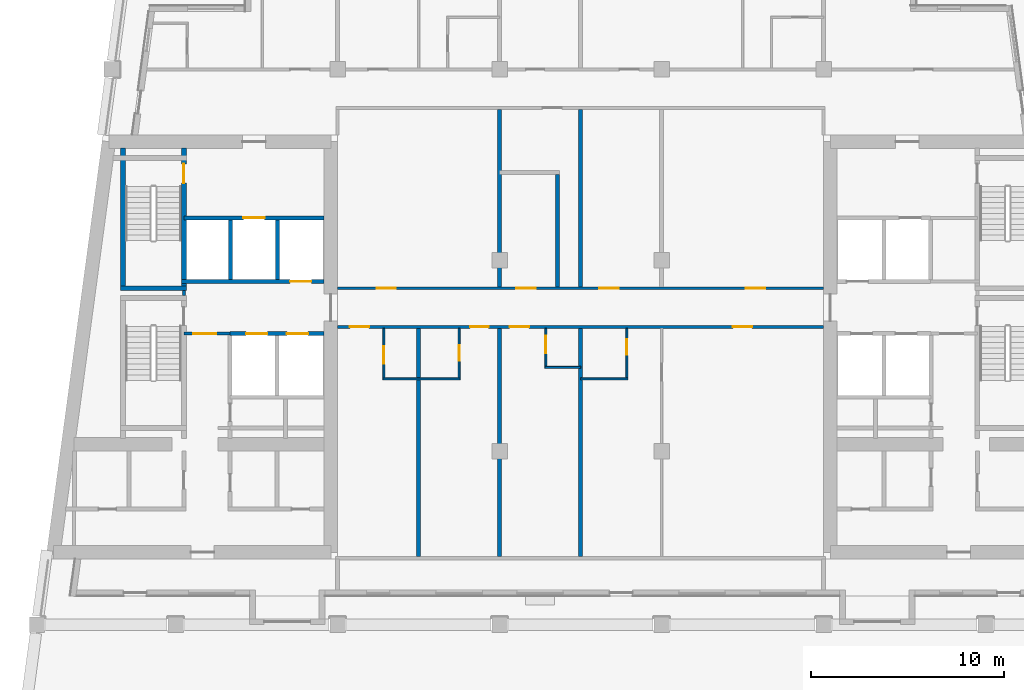
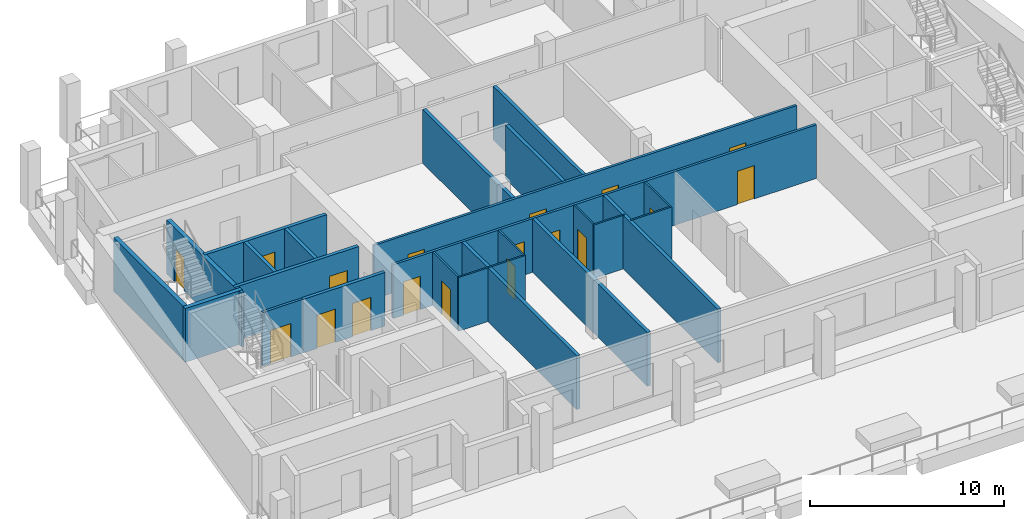
# One storey, part 3 of 12: 25 walls, 18 doors, 18 openings.
"""IFC4 building model written with IfcOpenShell, lengths in metres."""

from ifc_helpers import new_model, si_unit, direction, frame, frame_2d, origin, place, context, subcontext, project, spatial, rectangle, extrude, material, layer, layer_set, type_object, element, fill, save


model = new_model("IFC4")

# Units and contexts
model_context = context("Model", 3, precision=1e-05, world=origin(), true_north=direction((0.0, 1.0)))
body_context = subcontext(model_context, "Body", "Model", "MODEL_VIEW")
ifc_project = project(units=[si_unit("LENGTHUNIT", "METRE"), si_unit("AREAUNIT", "SQUARE_METRE"), si_unit("VOLUMEUNIT", "CUBIC_METRE"), si_unit("PLANEANGLEUNIT", "RADIAN"), si_unit("MASSUNIT", "GRAM", prefix="KILO")], contexts=[model_context])

# Site, building, storey
site_placement = place(None, origin())
site = spatial("IfcSite", under=ifc_project, at=site_placement, CompositionType="ELEMENT")
building_placement = place(site_placement, origin())
building = spatial("IfcBuilding", under=site, at=building_placement, Name="Candeia Pilgrim Tower and Theatre", CompositionType="ELEMENT")
storey_placement = place(building_placement, frame((0.0, 0.0, 259.0)))
storey = spatial("IfcBuildingStorey", under=building, at=storey_placement, Name="L62", CompositionType="ELEMENT", Elevation=259.0)

# Walls
ifc_material_1 = material(Name="Gypsum board partition on steel studs", Category="steel")
ifc_layer_1 = layer(ifc_material_1, 0.10009765625)
ifc_layer_set_1 = layer_set([ifc_layer_1], Name="PW-100 room partition")
wall_type_1 = type_object("IfcWallType", Name="PW-100 room partition", PredefinedType="PARTITIONING", material=ifc_layer_set_1)
wall_1_placement = place(storey_placement, frame((103.14990234375, 119.75, 0.0), z_axis=(0.0, 0.0, 1.0), x_axis=(1.0, 0.0, 0.0)))
element("IfcWall", 1, at=wall_1_placement, inside=storey, type_object=wall_type_1, Name="Room partition L62-014", PredefinedType="PARTITIONING", context=body_context, shape_type="SweptSolid", body=[
    extrude(rectangle(XDim=4.0, YDim=0.10009765625, at=frame_2d((2.0, 0.0))), origin(), (0.0, 0.0, 1.0), 3.3798828125),
])
wall_2_placement = place(storey_placement, frame((113.39990234375, 119.75, 0.0), z_axis=(0.0, 0.0, 1.0), x_axis=(1.0, 0.0, 0.0)))
element("IfcWall", 2, at=wall_2_placement, inside=storey, type_object=wall_type_1, Name="Room partition L62-015", PredefinedType="PARTITIONING", context=body_context, shape_type="SweptSolid", body=[
    extrude(rectangle(XDim=2.4501953125, YDim=0.10009765625, at=frame_2d((1.22509765625, 0.0))), origin(), (0.0, 0.0, 1.0), 3.3798828125),
])
wall_3_placement = place(storey_placement, frame((111.550048828125, 120.35009765625, 0.0), z_axis=(0.0, 0.0, 1.0), x_axis=(1.0, 0.0, 0.0)))
element("IfcWall", 3, at=wall_3_placement, inside=storey, type_object=wall_type_1, Name="Room partition L62-016", PredefinedType="PARTITIONING", context=body_context, shape_type="SweptSolid", body=[
    extrude(rectangle(XDim=1.849853515625, YDim=0.10009765625, at=frame_2d((0.9248046875, 0.0))), origin(), (0.0, 0.0, 1.0), 3.3798828125),
])

# Wall, opening, door
wall_4_placement = place(storey_placement, frame((103.199951171875, 119.800048828125, 0.0), z_axis=(0.0, 0.0, 1.0), x_axis=(0.0, 1.0, 0.0)))
wall_4 = element("IfcWall", 4, at=wall_4_placement, inside=storey, type_object=wall_type_1, Name="Room partition L62-062", PredefinedType="PARTITIONING", context=body_context, shape_type="SweptSolid", body=[
    extrude(rectangle(XDim=2.574951171875, YDim=0.10009765625, at=frame_2d((1.28759765625, 0.0))), origin(), (0.0, 0.0, 1.0), 3.3798828125),
])
opening_1_placement = place(wall_4_placement, frame((0.739990234375, 0.0, 0.0)))
opening_1 = element("IfcOpeningElement", 5, at=opening_1_placement, cuts=wall_4, Name="Opening L62-D018", PredefinedType="OPENING", context=body_context, shape_type="SweptSolid", body=[
    extrude(rectangle(XDim=0.89990234375, YDim=2.10009765625, at=frame_2d((0.449951171875, 1.050048828125))), frame((0.0, 0.06005859375, 0.0), z_axis=(0.0, -1.0, 0.0), x_axis=(1.0, 0.0, 0.0)), (0.0, 0.0, 1.0), 0.1201171875),
])
ifc_material_2 = material(Name="Timber door leaf", Category="wood")
door_type_1 = type_object("IfcDoorType", Name="D-900", OperationType="NOTDEFINED", PredefinedType="DOOR", material=ifc_material_2)
door_1_placement = place(opening_1_placement, origin())
door_1 = element("IfcDoor", 6, at=door_1_placement, inside=storey, type_object=door_type_1, Name="Door L62-D018", OperationType="SINGLE_SWING_RIGHT", OverallHeight=2.10009765625, OverallWidth=0.89990234375, PredefinedType="DOOR", context=body_context, shape_type="SweptSolid", body=[
    extrude(rectangle(XDim=0.89990234375, YDim=2.10009765625, at=frame_2d((0.449951171875, 1.050048828125))), frame((0.0, 0.02490234375, 0.0), z_axis=(0.0, -1.0, 0.0), x_axis=(1.0, 0.0, 0.0)), (0.0, 0.0, 1.0), 0.050048828125),
])
fill(opening_1, door_1)

wall_5_placement = place(storey_placement, frame((107.10009765625, 119.800048828125, 0.0), z_axis=(0.0, 0.0, 1.0), x_axis=(0.0, 1.0, 0.0)))
wall_5 = element("IfcWall", 7, at=wall_5_placement, inside=storey, type_object=wall_type_1, Name="Room partition L62-066", PredefinedType="PARTITIONING", context=body_context, shape_type="SweptSolid", body=[
    extrude(rectangle(XDim=2.574951171875, YDim=0.10009765625, at=frame_2d((1.28759765625, 0.0))), origin(), (0.0, 0.0, 1.0), 3.3798828125),
])
opening_2_placement = place(wall_5_placement, frame((0.89990234375, 0.0, 0.0)))
opening_2 = element("IfcOpeningElement", 8, at=opening_2_placement, cuts=wall_5, Name="Opening L62-D020", PredefinedType="OPENING", context=body_context, shape_type="SweptSolid", body=[
    extrude(rectangle(XDim=0.800048828125, YDim=2.10009765625, at=frame_2d((0.39990234375, 1.050048828125))), frame((0.0, 0.06005859375, 0.0), z_axis=(0.0, -1.0, 0.0), x_axis=(1.0, 0.0, 0.0)), (0.0, 0.0, 1.0), 0.1201171875),
])
door_type_2 = type_object("IfcDoorType", Name="D-800", OperationType="NOTDEFINED", PredefinedType="DOOR", material=ifc_material_2)
door_2_placement = place(opening_2_placement, origin())
door_2 = element("IfcDoor", 9, at=door_2_placement, inside=storey, type_object=door_type_2, Name="Door L62-D020", OperationType="SINGLE_SWING_RIGHT", OverallHeight=2.10009765625, OverallWidth=0.800048828125, PredefinedType="DOOR", context=body_context, shape_type="SweptSolid", body=[
    extrude(rectangle(XDim=0.800048828125, YDim=2.10009765625, at=frame_2d((0.39990234375, 1.050048828125))), frame((0.0, 0.02490234375, 0.0), z_axis=(0.0, -1.0, 0.0), x_axis=(1.0, 0.0, 0.0)), (0.0, 0.0, 1.0), 0.050048828125),
])
fill(opening_2, door_2)

wall_6_placement = place(storey_placement, frame((111.60009765625, 120.39990234375, 0.0), z_axis=(0.0, 0.0, 1.0), x_axis=(0.0, 1.0, 0.0)))
wall_6 = element("IfcWall", 10, at=wall_6_placement, inside=storey, type_object=wall_type_1, Name="Room partition L62-070", PredefinedType="PARTITIONING", context=body_context, shape_type="SweptSolid", body=[
    extrude(rectangle(XDim=1.97509765625, YDim=0.10009765625, at=frame_2d((0.987548828125, 0.0))), origin(), (0.0, 0.0, 1.0), 3.3798828125),
])
opening_3_placement = place(wall_6_placement, frame((0.675048828125, 0.0, 0.0)))
opening_3 = element("IfcOpeningElement", 11, at=opening_3_placement, cuts=wall_6, Name="Opening L62-D022", PredefinedType="OPENING", context=body_context, shape_type="SweptSolid", body=[
    extrude(rectangle(XDim=0.89990234375, YDim=2.10009765625, at=frame_2d((0.449951171875, 1.050048828125))), frame((0.0, 0.06005859375, 0.0), z_axis=(0.0, -1.0, 0.0), x_axis=(1.0, 0.0, 0.0)), (0.0, 0.0, 1.0), 0.1201171875),
])
door_3_placement = place(opening_3_placement, origin())
door_3 = element("IfcDoor", 12, at=door_3_placement, inside=storey, type_object=door_type_1, Name="Door L62-D022", OperationType="SINGLE_SWING_RIGHT", OverallHeight=2.10009765625, OverallWidth=0.89990234375, PredefinedType="DOOR", context=body_context, shape_type="SweptSolid", body=[
    extrude(rectangle(XDim=0.89990234375, YDim=2.10009765625, at=frame_2d((0.449951171875, 1.050048828125))), frame((0.0, 0.02490234375, 0.0), z_axis=(0.0, -1.0, 0.0), x_axis=(1.0, 0.0, 0.0)), (0.0, 0.0, 1.0), 0.050048828125),
])
fill(opening_3, door_3)

wall_7_placement = place(storey_placement, frame((115.800048828125, 119.800048828125, 0.0), z_axis=(0.0, 0.0, 1.0), x_axis=(0.0, 1.0, 0.0)))
wall_7 = element("IfcWall", 13, at=wall_7_placement, inside=storey, type_object=wall_type_1, Name="Room partition L62-075", PredefinedType="PARTITIONING", context=body_context, shape_type="SweptSolid", body=[
    extrude(rectangle(XDim=2.574951171875, YDim=0.10009765625, at=frame_2d((1.28759765625, 0.0))), origin(), (0.0, 0.0, 1.0), 3.3798828125),
])
opening_4_placement = place(wall_7_placement, frame((1.199951171875, 0.0, 0.0)))
opening_4 = element("IfcOpeningElement", 14, at=opening_4_placement, cuts=wall_7, Name="Opening L62-D025", PredefinedType="OPENING", context=body_context, shape_type="SweptSolid", body=[
    extrude(rectangle(XDim=0.800048828125, YDim=2.10009765625, at=frame_2d((0.39990234375, 1.050048828125))), frame((0.0, 0.06005859375, 0.0), z_axis=(0.0, -1.0, 0.0), x_axis=(1.0, 0.0, 0.0)), (0.0, 0.0, 1.0), 0.1201171875),
])
door_4_placement = place(opening_4_placement, origin())
door_4 = element("IfcDoor", 15, at=door_4_placement, inside=storey, type_object=door_type_2, Name="Door L62-D025", OperationType="SINGLE_SWING_LEFT", OverallHeight=2.10009765625, OverallWidth=0.800048828125, PredefinedType="DOOR", context=body_context, shape_type="SweptSolid", body=[
    extrude(rectangle(XDim=0.800048828125, YDim=2.10009765625, at=frame_2d((0.39990234375, 1.050048828125))), frame((0.0, 0.02490234375, 0.0), z_axis=(0.0, -1.0, 0.0), x_axis=(1.0, 0.0, 0.0)), (0.0, 0.0, 1.0), 0.050048828125),
])
fill(opening_4, door_4)

ifc_layer_2 = layer(ifc_material_1, 0.14990234375)
ifc_layer_set_2 = layer_set([ifc_layer_2], Name="PW-150 lobby wall")
wall_type_2 = type_object("IfcWallType", Name="PW-150 lobby wall", PredefinedType="PARTITIONING", material=ifc_layer_set_2)
wall_8_placement = place(storey_placement, frame((92.826904296875, 122.10009765625, 0.0), z_axis=(0.0, 0.0, 1.0), x_axis=(1.0, 0.0, 0.0)))
wall_8 = element("IfcWall", 16, at=wall_8_placement, inside=storey, type_object=wall_type_2, Name="Lobby wall L62-019", PredefinedType="PARTITIONING", context=body_context, shape_type="SweptSolid", body=[
    extrude(rectangle(XDim=2.400146484375, YDim=0.14990234375, at=frame_2d((1.2001953125, 0.0))), origin(), (0.0, 0.0, 1.0), 3.3798828125),
])
opening_5_placement = place(wall_8_placement, frame((0.47509765625, 0.0, 0.0)))
opening_5 = element("IfcOpeningElement", 17, at=opening_5_placement, cuts=wall_8, Name="Opening L62-D001", PredefinedType="OPENING", context=body_context, shape_type="SweptSolid", body=[
    extrude(rectangle(XDim=1.199951171875, YDim=2.10009765625, at=frame_2d((0.60009765625, 1.050048828125))), frame((0.0, 0.0849609375, 0.0), z_axis=(0.0, -1.0, 0.0), x_axis=(1.0, 0.0, 0.0)), (0.0, 0.0, 1.0), 0.169921875),
])
ifc_material_3 = material(Name="Steel fire door set", Category="steel")
door_type_3 = type_object("IfcDoorType", Name="D-1200-FD60", OperationType="NOTDEFINED", PredefinedType="DOOR", material=ifc_material_3)
door_5_placement = place(opening_5_placement, origin())
door_5 = element("IfcDoor", 18, at=door_5_placement, inside=storey, type_object=door_type_3, Name="Door L62-D001", OperationType="SINGLE_SWING_LEFT", OverallHeight=2.10009765625, OverallWidth=1.199951171875, PredefinedType="DOOR", context=body_context, shape_type="SweptSolid", body=[
    extrude(rectangle(XDim=1.199951171875, YDim=2.10009765625, at=frame_2d((0.60009765625, 1.050048828125))), frame((0.0, 0.02490234375, 0.0), z_axis=(0.0, -1.0, 0.0), x_axis=(1.0, 0.0, 0.0)), (0.0, 0.0, 1.0), 0.050048828125),
])
fill(opening_5, door_5)

# Wall
wall_9_placement = place(storey_placement, frame((92.826904296875, 124.074951171875, 0.0), z_axis=(0.0, 0.0, 1.0), x_axis=(0.0, 1.0, 0.0)))
element("IfcWall", 19, at=wall_9_placement, inside=storey, type_object=wall_type_2, Name="Lobby wall L62-047", PredefinedType="PARTITIONING", context=body_context, shape_type="SweptSolid", body=[
    extrude(rectangle(XDim=0.25, YDim=0.14990234375, at=frame_2d((0.125, 0.0))), origin(), (0.0, 0.0, 1.0), 3.3798828125),
])

# Wall, openings, doors
ifc_layer_3 = layer(ifc_material_1, 0.14990234375)
ifc_layer_set_3 = layer_set([ifc_layer_3], Name="PW-150 unit wall")
wall_type_3 = type_object("IfcWallType", Name="PW-150 unit wall", PredefinedType="PARTITIONING", material=ifc_layer_set_3)
wall_10_placement = place(storey_placement, frame((100.800048828125, 122.449951171875, 0.0), z_axis=(0.0, 0.0, 1.0), x_axis=(1.0, 0.0, 0.0)))
wall_10 = element("IfcWall", 20, at=wall_10_placement, inside=storey, type_object=wall_type_3, Name="Unit wall L62-021", PredefinedType="PARTITIONING", context=body_context, shape_type="SweptSolid", body=[
    extrude(rectangle(XDim=25.199951171875, YDim=0.14990234375, at=frame_2d((12.60009765625, 0.0))), origin(), (0.0, 0.0, 1.0), 3.3798828125),
])
opening_6_placement = place(wall_10_placement, frame((0.6298828125, 0.0, 0.0)))
opening_6 = element("IfcOpeningElement", 21, at=opening_6_placement, cuts=wall_10, Name="Opening L62-D017", PredefinedType="OPENING", context=body_context, shape_type="SweptSolid", body=[
    extrude(rectangle(XDim=1.0, YDim=2.10009765625, at=frame_2d((0.5, 1.050048828125))), frame((0.0, 0.0849609375, 0.0), z_axis=(0.0, -1.0, 0.0), x_axis=(1.0, 0.0, 0.0)), (0.0, 0.0, 1.0), 0.169921875),
])
opening_7_placement = place(wall_10_placement, frame((6.875, 0.0, 0.0)))
opening_7 = element("IfcOpeningElement", 22, at=opening_7_placement, cuts=wall_10, Name="Opening L62-D019", PredefinedType="OPENING", context=body_context, shape_type="SweptSolid", body=[
    extrude(rectangle(XDim=0.949951171875, YDim=2.10009765625, at=frame_2d((0.47509765625, 1.050048828125))), frame((0.0, 0.0849609375, 0.0), z_axis=(0.0, -1.0, 0.0), x_axis=(1.0, 0.0, 0.0)), (0.0, 0.0, 1.0), 0.169921875),
])
opening_8_placement = place(wall_10_placement, frame((8.925048828125, 0.0, 0.0)))
opening_8 = element("IfcOpeningElement", 23, at=opening_8_placement, cuts=wall_10, Name="Opening L62-D021", PredefinedType="OPENING", context=body_context, shape_type="SweptSolid", body=[
    extrude(rectangle(XDim=1.0, YDim=2.10009765625, at=frame_2d((0.5, 1.050048828125))), frame((0.0, 0.0849609375, 0.0), z_axis=(0.0, -1.0, 0.0), x_axis=(1.0, 0.0, 0.0)), (0.0, 0.0, 1.0), 0.169921875),
])
opening_9_placement = place(wall_10_placement, frame((20.5, 0.0, 0.0)))
opening_9 = element("IfcOpeningElement", 24, at=opening_9_placement, cuts=wall_10, Name="Opening L62-D023", PredefinedType="OPENING", context=body_context, shape_type="SweptSolid", body=[
    extrude(rectangle(XDim=1.0, YDim=2.10009765625, at=frame_2d((0.5, 1.050048828125))), frame((0.0, 0.0849609375, 0.0), z_axis=(0.0, -1.0, 0.0), x_axis=(1.0, 0.0, 0.0)), (0.0, 0.0, 1.0), 0.169921875),
])
door_type_4 = type_object("IfcDoorType", Name="D-1000-FD30S", OperationType="NOTDEFINED", PredefinedType="DOOR", material=ifc_material_3)
door_6_placement = place(opening_6_placement, origin())
door_6 = element("IfcDoor", 25, at=door_6_placement, inside=storey, type_object=door_type_4, Name="Door L62-D017", OperationType="SINGLE_SWING_LEFT", OverallHeight=2.10009765625, OverallWidth=1.0, PredefinedType="DOOR", context=body_context, shape_type="SweptSolid", body=[
    extrude(rectangle(XDim=1.0, YDim=2.10009765625, at=frame_2d((0.5, 1.050048828125))), frame((0.0, 0.02490234375, 0.0), z_axis=(0.0, -1.0, 0.0), x_axis=(1.0, 0.0, 0.0)), (0.0, 0.0, 1.0), 0.050048828125),
])
fill(opening_6, door_6)
door_7_placement = place(opening_8_placement, origin())
door_7 = element("IfcDoor", 26, at=door_7_placement, inside=storey, type_object=door_type_4, Name="Door L62-D021", OperationType="SINGLE_SWING_LEFT", OverallHeight=2.10009765625, OverallWidth=1.0, PredefinedType="DOOR", context=body_context, shape_type="SweptSolid", body=[
    extrude(rectangle(XDim=1.0, YDim=2.10009765625, at=frame_2d((0.5, 1.050048828125))), frame((0.0, 0.02490234375, 0.0), z_axis=(0.0, -1.0, 0.0), x_axis=(1.0, 0.0, 0.0)), (0.0, 0.0, 1.0), 0.050048828125),
])
fill(opening_8, door_7)
door_8_placement = place(opening_9_placement, origin())
door_8 = element("IfcDoor", 27, at=door_8_placement, inside=storey, type_object=door_type_4, Name="Door L62-D023", OperationType="SINGLE_SWING_LEFT", OverallHeight=2.10009765625, OverallWidth=1.0, PredefinedType="DOOR", context=body_context, shape_type="SweptSolid", body=[
    extrude(rectangle(XDim=1.0, YDim=2.10009765625, at=frame_2d((0.5, 1.050048828125))), frame((0.0, 0.02490234375, 0.0), z_axis=(0.0, -1.0, 0.0), x_axis=(1.0, 0.0, 0.0)), (0.0, 0.0, 1.0), 0.050048828125),
])
fill(opening_9, door_8)
door_type_5 = type_object("IfcDoorType", Name="D-950-FD30S", OperationType="NOTDEFINED", PredefinedType="DOOR", material=ifc_material_3)
door_9_placement = place(opening_7_placement, origin())
door_9 = element("IfcDoor", 28, at=door_9_placement, inside=storey, type_object=door_type_5, Name="Door L62-D019", OperationType="SINGLE_SWING_LEFT", OverallHeight=2.10009765625, OverallWidth=0.949951171875, PredefinedType="DOOR", context=body_context, shape_type="SweptSolid", body=[
    extrude(rectangle(XDim=0.949951171875, YDim=2.10009765625, at=frame_2d((0.47509765625, 1.050048828125))), frame((0.0, 0.02490234375, 0.0), z_axis=(0.0, -1.0, 0.0), x_axis=(1.0, 0.0, 0.0)), (0.0, 0.0, 1.0), 0.050048828125),
])
fill(opening_7, door_9)

wall_11_placement = place(storey_placement, frame((100.800048828125, 124.449951171875, 0.0), z_axis=(0.0, 0.0, 1.0), x_axis=(1.0, 0.0, 0.0)))
wall_11 = element("IfcWall", 29, at=wall_11_placement, inside=storey, type_object=wall_type_3, Name="Unit wall L62-026", PredefinedType="PARTITIONING", context=body_context, shape_type="SweptSolid", body=[
    extrude(rectangle(XDim=25.199951171875, YDim=0.14990234375, at=frame_2d((12.60009765625, 0.0))), origin(), (0.0, 0.0, 1.0), 3.3798828125),
])
opening_10_placement = place(wall_11_placement, frame((2.02490234375, 0.0, 0.0)))
opening_10 = element("IfcOpeningElement", 30, at=opening_10_placement, cuts=wall_11, Name="Opening L62-D038", PredefinedType="OPENING", context=body_context, shape_type="SweptSolid", body=[
    extrude(rectangle(XDim=1.0, YDim=2.10009765625, at=frame_2d((0.5, 1.050048828125))), frame((0.0, 0.0849609375, 0.0), z_axis=(0.0, -1.0, 0.0), x_axis=(1.0, 0.0, 0.0)), (0.0, 0.0, 1.0), 0.169921875),
])
opening_11_placement = place(wall_11_placement, frame((9.27001953125, 0.0, 0.0)))
opening_11 = element("IfcOpeningElement", 31, at=opening_11_placement, cuts=wall_11, Name="Opening L62-D039", PredefinedType="OPENING", context=body_context, shape_type="SweptSolid", body=[
    extrude(rectangle(XDim=1.0, YDim=2.10009765625, at=frame_2d((0.5, 1.050048828125))), frame((0.0, 0.0849609375, 0.0), z_axis=(0.0, -1.0, 0.0), x_axis=(1.0, 0.0, 0.0)), (0.0, 0.0, 1.0), 0.169921875),
])
opening_12_placement = place(wall_11_placement, frame((13.574951171875, 0.0, 0.0)))
opening_12 = element("IfcOpeningElement", 32, at=opening_12_placement, cuts=wall_11, Name="Opening L62-D040", PredefinedType="OPENING", context=body_context, shape_type="SweptSolid", body=[
    extrude(rectangle(XDim=1.0, YDim=2.10009765625, at=frame_2d((0.5, 1.050048828125))), frame((0.0, 0.0849609375, 0.0), z_axis=(0.0, -1.0, 0.0), x_axis=(1.0, 0.0, 0.0)), (0.0, 0.0, 1.0), 0.169921875),
])
opening_13_placement = place(wall_11_placement, frame((21.169921875, 0.0, 0.0)))
opening_13 = element("IfcOpeningElement", 33, at=opening_13_placement, cuts=wall_11, Name="Opening L62-D041", PredefinedType="OPENING", context=body_context, shape_type="SweptSolid", body=[
    extrude(rectangle(XDim=1.0, YDim=2.10009765625, at=frame_2d((0.5, 1.050048828125))), frame((0.0, 0.0849609375, 0.0), z_axis=(0.0, -1.0, 0.0), x_axis=(1.0, 0.0, 0.0)), (0.0, 0.0, 1.0), 0.169921875),
])
door_10_placement = place(opening_10_placement, origin())
door_10 = element("IfcDoor", 34, at=door_10_placement, inside=storey, type_object=door_type_4, Name="Door L62-D038", OperationType="SINGLE_SWING_RIGHT", OverallHeight=2.10009765625, OverallWidth=1.0, PredefinedType="DOOR", context=body_context, shape_type="SweptSolid", body=[
    extrude(rectangle(XDim=1.0, YDim=2.10009765625, at=frame_2d((0.5, 1.050048828125))), frame((0.0, 0.02490234375, 0.0), z_axis=(0.0, -1.0, 0.0), x_axis=(1.0, 0.0, 0.0)), (0.0, 0.0, 1.0), 0.050048828125),
])
fill(opening_10, door_10)
door_11_placement = place(opening_11_placement, origin())
door_11 = element("IfcDoor", 35, at=door_11_placement, inside=storey, type_object=door_type_4, Name="Door L62-D039", OperationType="SINGLE_SWING_LEFT", OverallHeight=2.10009765625, OverallWidth=1.0, PredefinedType="DOOR", context=body_context, shape_type="SweptSolid", body=[
    extrude(rectangle(XDim=1.0, YDim=2.10009765625, at=frame_2d((0.5, 1.050048828125))), frame((0.0, 0.02490234375, 0.0), z_axis=(0.0, -1.0, 0.0), x_axis=(1.0, 0.0, 0.0)), (0.0, 0.0, 1.0), 0.050048828125),
])
fill(opening_11, door_11)
door_12_placement = place(opening_12_placement, origin())
door_12 = element("IfcDoor", 36, at=door_12_placement, inside=storey, type_object=door_type_4, Name="Door L62-D040", OperationType="SINGLE_SWING_RIGHT", OverallHeight=2.10009765625, OverallWidth=1.0, PredefinedType="DOOR", context=body_context, shape_type="SweptSolid", body=[
    extrude(rectangle(XDim=1.0, YDim=2.10009765625, at=frame_2d((0.5, 1.050048828125))), frame((0.0, 0.02490234375, 0.0), z_axis=(0.0, -1.0, 0.0), x_axis=(1.0, 0.0, 0.0)), (0.0, 0.0, 1.0), 0.050048828125),
])
fill(opening_12, door_12)
door_13_placement = place(opening_13_placement, origin())
door_13 = element("IfcDoor", 37, at=door_13_placement, inside=storey, type_object=door_type_4, Name="Door L62-D041", OperationType="SINGLE_SWING_LEFT", OverallHeight=2.10009765625, OverallWidth=1.0, PredefinedType="DOOR", context=body_context, shape_type="SweptSolid", body=[
    extrude(rectangle(XDim=1.0, YDim=2.10009765625, at=frame_2d((0.5, 1.050048828125))), frame((0.0, 0.02490234375, 0.0), z_axis=(0.0, -1.0, 0.0), x_axis=(1.0, 0.0, 0.0)), (0.0, 0.0, 1.0), 0.050048828125),
])
fill(opening_13, door_13)

# Walls
ifc_layer_4 = layer(ifc_material_1, 0.199951171875)
ifc_layer_set_4 = layer_set([ifc_layer_4], Name="PW-200 party wall")
wall_type_4 = type_object("IfcWallType", Name="PW-200 party wall", PredefinedType="PARTITIONING", material=ifc_layer_set_4)
for number, where, z_axis, x_axis, name in (
    (38, (105.0, 110.550048828125, 0.0), (0.0, 0.0, 1.0), (0.0, 1.0, 0.0), "Party wall L62-064"),
    (39, (109.199951171875, 110.550048828125, 0.0), (0.0, 0.0, 1.0), (0.0, 1.0, 0.0), "Party wall L62-067"),
):
    element("IfcWall", number, at=place(storey_placement, frame(where, z_axis=z_axis, x_axis=x_axis)), inside=storey, type_object=wall_type_4, Name=name, PredefinedType="PARTITIONING", context=body_context, shape_type="SweptSolid", body=[
        extrude(rectangle(XDim=11.824951171875, YDim=0.199951171875, at=frame_2d((5.91259765625, 0.0))), origin(), (0.0, 0.0, 1.0), 3.3798828125),
    ])
wall_12_placement = place(storey_placement, frame((109.199951171875, 124.52490234375, 0.0), z_axis=(0.0, 0.0, 1.0), x_axis=(0.0, 1.0, 0.0)))
element("IfcWall", 40, at=wall_12_placement, inside=storey, type_object=wall_type_4, Name="Party wall L62-068", PredefinedType="PARTITIONING", context=body_context, shape_type="SweptSolid", body=[
    extrude(rectangle(XDim=9.2001953125, YDim=0.199951171875, at=frame_2d((4.60009765625, 0.0))), origin(), (0.0, 0.0, 1.0), 3.3798828125),
])
wall_13_placement = place(storey_placement, frame((112.199951171875, 124.52490234375, 0.0), z_axis=(0.0, 0.0, 1.0), x_axis=(0.0, 1.0, 0.0)))
element("IfcWall", 41, at=wall_13_placement, inside=storey, type_object=wall_type_4, Name="Party wall L62-071", PredefinedType="PARTITIONING", context=body_context, shape_type="SweptSolid", body=[
    extrude(rectangle(XDim=5.8251953125, YDim=0.199951171875, at=frame_2d((2.91259765625, 0.0))), origin(), (0.0, 0.0, 1.0), 3.3798828125),
])
wall_14_placement = place(storey_placement, frame((113.39990234375, 110.550048828125, 0.0), z_axis=(0.0, 0.0, 1.0), x_axis=(0.0, 1.0, 0.0)))
element("IfcWall", 42, at=wall_14_placement, inside=storey, type_object=wall_type_4, Name="Party wall L62-072", PredefinedType="PARTITIONING", context=body_context, shape_type="SweptSolid", body=[
    extrude(rectangle(XDim=11.824951171875, YDim=0.199951171875, at=frame_2d((5.91259765625, 0.0))), origin(), (0.0, 0.0, 1.0), 3.3798828125),
])
wall_15_placement = place(storey_placement, frame((113.39990234375, 124.52490234375, 0.0), z_axis=(0.0, 0.0, 1.0), x_axis=(0.0, 1.0, 0.0)))
element("IfcWall", 43, at=wall_15_placement, inside=storey, type_object=wall_type_4, Name="Party wall L62-073", PredefinedType="PARTITIONING", context=body_context, shape_type="SweptSolid", body=[
    extrude(rectangle(XDim=9.2001953125, YDim=0.199951171875, at=frame_2d((4.60009765625, 0.0))), origin(), (0.0, 0.0, 1.0), 3.3798828125),
])

# Wall, openings, doors
ifc_material_4 = material(Name="Concrete C40/50", Category="concrete")
ifc_layer_5 = layer(ifc_material_4, 0.199951171875)
ifc_layer_set_5 = layer_set([ifc_layer_5], Name="SW-200 shaft wall")
wall_type_5 = type_object("IfcWallType", Name="SW-200 shaft wall", PredefinedType="PARTITIONING", material=ifc_layer_set_5)
wall_16_placement = place(storey_placement, frame((95.22705078125, 122.10009765625, 0.0), z_axis=(0.0, 0.0, 1.0), x_axis=(1.0, 0.0, 0.0)))
wall_16 = element("IfcWall", 44, at=wall_16_placement, inside=storey, type_object=wall_type_5, Name="Shaft wall L62-017", PredefinedType="PARTITIONING", context=body_context, shape_type="SweptSolid", body=[
    extrude(rectangle(XDim=4.873046875, YDim=0.199951171875, at=frame_2d((2.4365234375, 0.0))), origin(), (0.0, 0.0, 1.0), 3.3798828125),
])
opening_14_placement = place(wall_16_placement, frame((0.826904296875, 0.0, 0.0)))
opening_14 = element("IfcOpeningElement", 45, at=opening_14_placement, cuts=wall_16, Name="Opening L62-LD01", PredefinedType="OPENING", context=body_context, shape_type="SweptSolid", body=[
    extrude(rectangle(XDim=1.10009765625, YDim=2.10009765625, at=frame_2d((0.550048828125, 1.050048828125))), frame((0.0, 0.10986328125, 0.0), z_axis=(0.0, -1.0, 0.0), x_axis=(1.0, 0.0, 0.0)), (0.0, 0.0, 1.0), 0.219970703125),
])
opening_15_placement = place(wall_16_placement, frame((2.946044921875, 0.0, 0.0)))
opening_15 = element("IfcOpeningElement", 46, at=opening_15_placement, cuts=wall_16, Name="Opening L62-LD02", PredefinedType="OPENING", context=body_context, shape_type="SweptSolid", body=[
    extrude(rectangle(XDim=1.10009765625, YDim=2.10009765625, at=frame_2d((0.550048828125, 1.050048828125))), frame((0.0, 0.10986328125, 0.0), z_axis=(0.0, -1.0, 0.0), x_axis=(1.0, 0.0, 0.0)), (0.0, 0.0, 1.0), 0.219970703125),
])
ifc_material_5 = material(Name="Glazed aluminium landing door", Category="aluminium")
door_type_6 = type_object("IfcDoorType", Name="LD-1100-EI120", OperationType="SLIDING_TO_LEFT", PredefinedType="DOOR", material=ifc_material_5)
door_14_placement = place(opening_14_placement, origin())
door_14 = element("IfcDoor", 47, at=door_14_placement, inside=storey, type_object=door_type_6, Name="Landing door 01 L62", OperationType="SLIDING_TO_LEFT", OverallHeight=2.10009765625, OverallWidth=1.10009765625, PredefinedType="DOOR", context=body_context, shape_type="SweptSolid", body=[
    extrude(rectangle(XDim=1.10009765625, YDim=2.10009765625, at=frame_2d((0.550048828125, 1.050048828125))), frame((0.0, 0.02490234375, 0.0), z_axis=(0.0, -1.0, 0.0), x_axis=(1.0, 0.0, 0.0)), (0.0, 0.0, 1.0), 0.050048828125),
])
fill(opening_14, door_14)
door_15_placement = place(opening_15_placement, origin())
door_15 = element("IfcDoor", 48, at=door_15_placement, inside=storey, type_object=door_type_6, Name="Landing door 02 L62", OperationType="SLIDING_TO_LEFT", OverallHeight=2.10009765625, OverallWidth=1.10009765625, PredefinedType="DOOR", context=body_context, shape_type="SweptSolid", body=[
    extrude(rectangle(XDim=1.10009765625, YDim=2.10009765625, at=frame_2d((0.550048828125, 1.050048828125))), frame((0.0, 0.02490234375, 0.0), z_axis=(0.0, -1.0, 0.0), x_axis=(1.0, 0.0, 0.0)), (0.0, 0.0, 1.0), 0.050048828125),
])
fill(opening_15, door_15)

# Wall, opening, door
wall_17_placement = place(storey_placement, frame((92.701904296875, 124.800048828125, 0.0), z_axis=(0.0, 0.0, 1.0), x_axis=(1.0, 0.0, 0.0)))
wall_17 = element("IfcWall", 49, at=wall_17_placement, inside=storey, type_object=wall_type_5, Name="Shaft wall L62-027", PredefinedType="PARTITIONING", context=body_context, shape_type="SweptSolid", body=[
    extrude(rectangle(XDim=7.398193359375, YDim=0.199951171875, at=frame_2d((3.69921875, 0.0))), origin(), (0.0, 0.0, 1.0), 3.3798828125),
])
opening_16_placement = place(wall_17_placement, frame((5.635986328125, 0.0, 0.0)))
opening_16 = element("IfcOpeningElement", 50, at=opening_16_placement, cuts=wall_17, Name="Opening L62-LD04", PredefinedType="OPENING", context=body_context, shape_type="SweptSolid", body=[
    extrude(rectangle(XDim=1.10009765625, YDim=2.10009765625, at=frame_2d((0.550048828125, 1.050048828125))), frame((0.0, 0.10986328125, 0.0), z_axis=(0.0, -1.0, 0.0), x_axis=(1.0, 0.0, 0.0)), (0.0, 0.0, 1.0), 0.219970703125),
])
door_16_placement = place(opening_16_placement, origin())
door_16 = element("IfcDoor", 51, at=door_16_placement, inside=storey, type_object=door_type_6, Name="Landing door 04 L62", OperationType="SLIDING_TO_LEFT", OverallHeight=2.10009765625, OverallWidth=1.10009765625, PredefinedType="DOOR", context=body_context, shape_type="SweptSolid", body=[
    extrude(rectangle(XDim=1.10009765625, YDim=2.10009765625, at=frame_2d((0.550048828125, 1.050048828125))), frame((0.0, 0.02490234375, 0.0), z_axis=(0.0, -1.0, 0.0), x_axis=(1.0, 0.0, 0.0)), (0.0, 0.0, 1.0), 0.050048828125),
])
fill(opening_16, door_16)

wall_18_placement = place(storey_placement, frame((92.826904296875, 128.10009765625, 0.0), z_axis=(0.0, 0.0, 1.0), x_axis=(1.0, 0.0, 0.0)))
wall_18 = element("IfcWall", 52, at=wall_18_placement, inside=storey, type_object=wall_type_5, Name="Shaft wall L62-030", PredefinedType="PARTITIONING", context=body_context, shape_type="SweptSolid", body=[
    extrude(rectangle(XDim=7.273193359375, YDim=0.199951171875, at=frame_2d((3.63671875, 0.0))), origin(), (0.0, 0.0, 1.0), 3.3798828125),
])
opening_17_placement = place(wall_18_placement, frame((3.0859375, 0.0, 0.0)))
opening_17 = element("IfcOpeningElement", 53, at=opening_17_placement, cuts=wall_18, Name="Opening L62-LD03", PredefinedType="OPENING", context=body_context, shape_type="SweptSolid", body=[
    extrude(rectangle(XDim=1.10009765625, YDim=2.10009765625, at=frame_2d((0.550048828125, 1.050048828125))), frame((0.0, 0.10986328125, 0.0), z_axis=(0.0, -1.0, 0.0), x_axis=(1.0, 0.0, 0.0)), (0.0, 0.0, 1.0), 0.219970703125),
])
door_17_placement = place(opening_17_placement, origin())
door_17 = element("IfcDoor", 54, at=door_17_placement, inside=storey, type_object=door_type_6, Name="Landing door 03 L62", OperationType="SLIDING_TO_LEFT", OverallHeight=2.10009765625, OverallWidth=1.10009765625, PredefinedType="DOOR", context=body_context, shape_type="SweptSolid", body=[
    extrude(rectangle(XDim=1.10009765625, YDim=2.10009765625, at=frame_2d((0.550048828125, 1.050048828125))), frame((0.0, 0.02490234375, 0.0), z_axis=(0.0, -1.0, 0.0), x_axis=(1.0, 0.0, 0.0)), (0.0, 0.0, 1.0), 0.050048828125),
])
fill(opening_17, door_17)

# Walls
for number, where, z_axis, x_axis, name in (
    (55, (95.251220703125, 124.89990234375, 0.0), (0.0, 0.0, 1.0), (0.0, 1.0, 0.0), "Shaft wall L62-053"),
    (56, (97.67578125, 124.89990234375, 0.0), (0.0, 0.0, 1.0), (0.0, 1.0, 0.0), "Shaft wall L62-057"),
):
    element("IfcWall", number, at=place(storey_placement, frame(where, z_axis=z_axis, x_axis=x_axis)), inside=storey, type_object=wall_type_5, Name=name, PredefinedType="PARTITIONING", context=body_context, shape_type="SweptSolid", body=[
        extrude(rectangle(XDim=3.10009765625, YDim=0.199951171875, at=frame_2d((1.550048828125, 0.0))), origin(), (0.0, 0.0, 1.0), 3.3798828125),
    ])
ifc_layer_6 = layer(ifc_material_4, 0.25)
ifc_layer_set_6 = layer_set([ifc_layer_6], Name="SW-250 stair wall")
wall_type_6 = type_object("IfcWallType", Name="SW-250 stair wall", PredefinedType="PARTITIONING", material=ifc_layer_set_6)
wall_19_placement = place(storey_placement, frame((89.552001953125, 124.449951171875, 0.0), z_axis=(0.0, 0.0, 1.0), x_axis=(1.0, 0.0, 0.0)))
element("IfcWall", 57, at=wall_19_placement, inside=storey, type_object=wall_type_6, Name="Stair wall L62-024", PredefinedType="PARTITIONING", context=body_context, shape_type="SweptSolid", body=[
    extrude(rectangle(XDim=3.39990234375, YDim=0.25, at=frame_2d((1.699951171875, 0.0))), origin(), (0.0, 0.0, 1.0), 3.3798828125),
])
wall_20_placement = place(storey_placement, frame((89.677001953125, 124.574951171875, 0.0), z_axis=(0.0, 0.0, 1.0), x_axis=(0.0, 1.0, 0.0)))
element("IfcWall", 58, at=wall_20_placement, inside=storey, type_object=wall_type_6, Name="Stair wall L62-044", PredefinedType="PARTITIONING", context=body_context, shape_type="SweptSolid", body=[
    extrude(rectangle(XDim=7.155029296875, YDim=0.25, at=frame_2d((3.57763671875, 0.0))), origin(), (0.0, 0.0, 1.0), 3.3798828125),
])

# Wall, opening, door
wall_21_placement = place(storey_placement, frame((92.826904296875, 124.574951171875, 0.0), z_axis=(0.0, 0.0, 1.0), x_axis=(0.0, 1.0, 0.0)))
wall_21 = element("IfcWall", 59, at=wall_21_placement, inside=storey, type_object=wall_type_6, Name="Stair wall L62-049", PredefinedType="PARTITIONING", context=body_context, shape_type="SweptSolid", body=[
    extrude(rectangle(XDim=7.155029296875, YDim=0.25, at=frame_2d((3.57763671875, 0.0))), origin(), (0.0, 0.0, 1.0), 3.3798828125),
])
opening_18_placement = place(wall_21_placement, frame((5.324951171875, 0.0, 0.0)))
opening_18 = element("IfcOpeningElement", 60, at=opening_18_placement, cuts=wall_21, Name="Opening L62-D003", PredefinedType="OPENING", context=body_context, shape_type="SweptSolid", body=[
    extrude(rectangle(XDim=1.0, YDim=2.10009765625, at=frame_2d((0.5, 1.050048828125))), frame((0.0, 0.135009765625, 0.0), z_axis=(0.0, -1.0, 0.0), x_axis=(1.0, 0.0, 0.0)), (0.0, 0.0, 1.0), 0.27001953125),
])
door_type_7 = type_object("IfcDoorType", Name="D-1000-FD60", OperationType="NOTDEFINED", PredefinedType="DOOR", material=ifc_material_3)
door_18_placement = place(opening_18_placement, origin())
door_18 = element("IfcDoor", 61, at=door_18_placement, inside=storey, type_object=door_type_7, Name="Door L62-D003", OperationType="SINGLE_SWING_LEFT", OverallHeight=2.10009765625, OverallWidth=1.0, PredefinedType="DOOR", context=body_context, shape_type="SweptSolid", body=[
    extrude(rectangle(XDim=1.0, YDim=2.10009765625, at=frame_2d((0.5, 1.050048828125))), frame((0.0, 0.02490234375, 0.0), z_axis=(0.0, -1.0, 0.0), x_axis=(1.0, 0.0, 0.0)), (0.0, 0.0, 1.0), 0.050048828125),
])
fill(opening_18, door_18)

save(model, "model.ifc")
